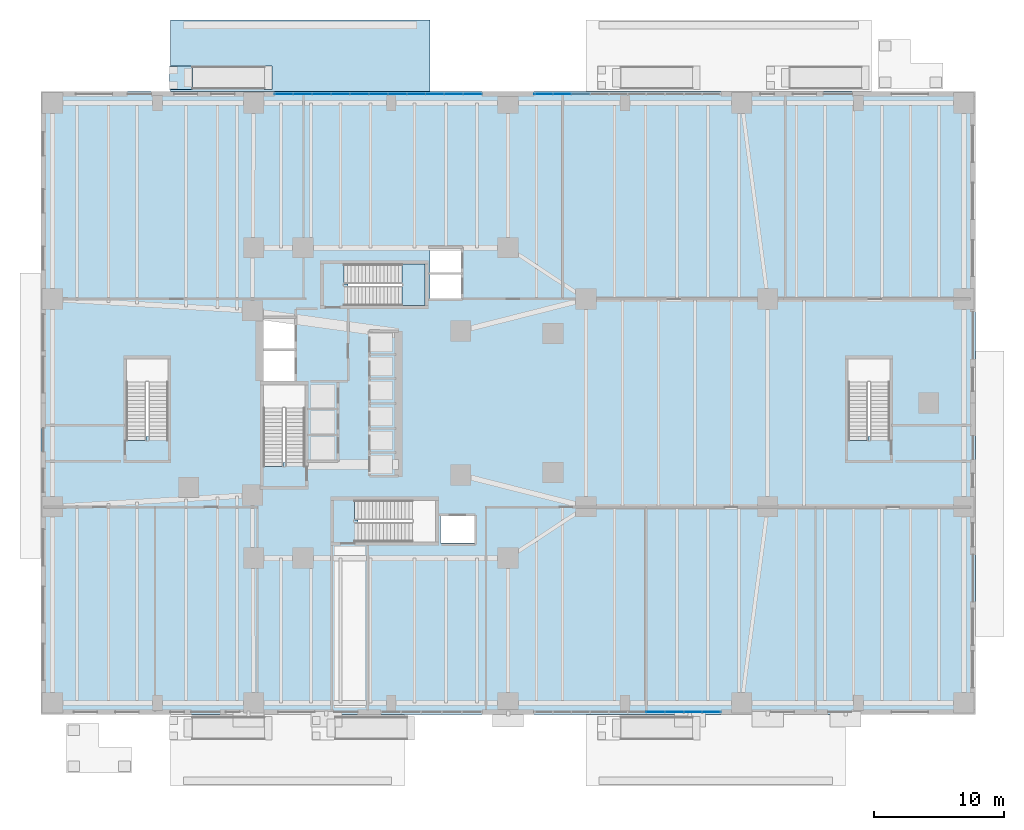
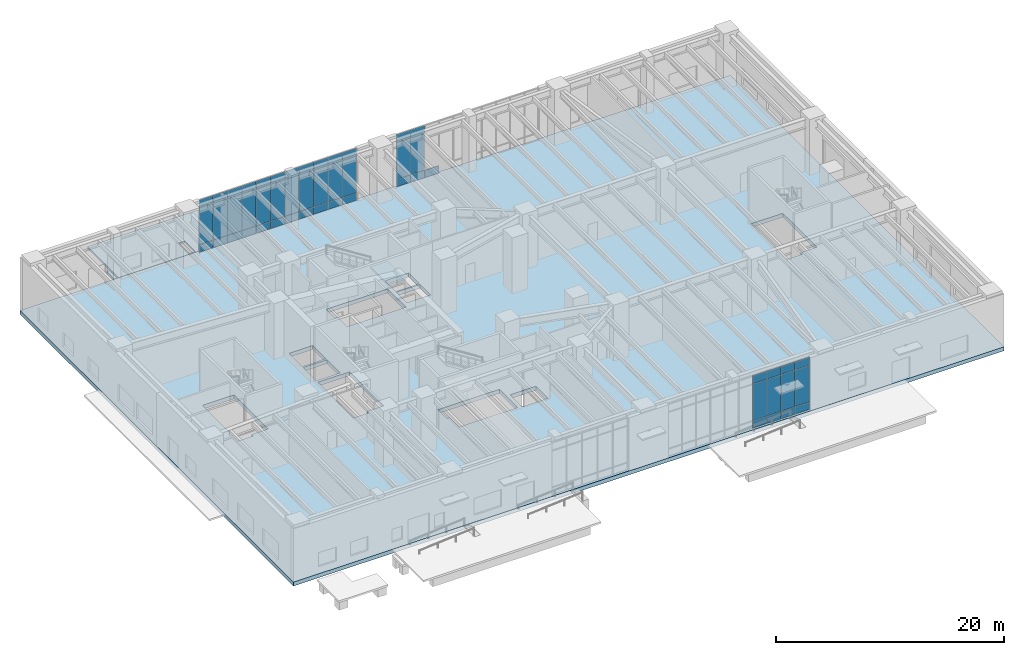
# One storey, part 17 of 28: 52 plates, 4 slabs, 5 elements without a shape of their own.
"""IFC4 building model written with IfcOpenShell, lengths in metres."""

from ifc_helpers import new_model, si_unit, direction, frame, origin, origin_2d, place, context, subcontext, project, spatial, polyline, rectangle, outline, extrude, material, layer, layer_set, type_object, element, aggregate, save


model = new_model("IFC4")

# Units and contexts
model_context = context("Model", 3, precision=1e-05, world=origin(), true_north=direction((0.0, 1.0)))
body_context = subcontext(model_context, "Body", "Model", "MODEL_VIEW")
ifc_project = project(units=[si_unit("LENGTHUNIT", "METRE"), si_unit("AREAUNIT", "SQUARE_METRE"), si_unit("VOLUMEUNIT", "CUBIC_METRE"), si_unit("PLANEANGLEUNIT", "RADIAN"), si_unit("MASSUNIT", "GRAM", prefix="KILO"), si_unit("THERMODYNAMICTEMPERATUREUNIT", "KELVIN"), si_unit("POWERUNIT", "WATT")], contexts=[model_context])

# Site, building, storey
site_placement = place(None, origin())
site = spatial("IfcSite", under=ifc_project, at=site_placement, CompositionType="ELEMENT")
building_placement = place(site_placement, origin())
building = spatial("IfcBuilding", under=site, at=building_placement, Name="Skarre Station Tower", CompositionType="ELEMENT")
storey_placement = place(building_placement, origin())
storey = spatial("IfcBuildingStorey", under=building, at=storey_placement, Name="L01", CompositionType="ELEMENT", Elevation=0.0)

# Curtain wall, plates
ifc_material_1 = material(Name="Thermally Broken Bronze-Anodized Aluminium & Triple Low-E Glass", Category="aluminium")
ifc_layer_1 = layer(ifc_material_1, 0.239990234375, Name="Thermally Broken Bronze-Anodized Aluminium & Triple Low-E Glass")
ifc_layer_set_1 = layer_set([ifc_layer_1], Name="Thermally Broken Bronze-Anodized Aluminium & Triple Low-E Glass")
curtain_wall_type = type_object("IfcCurtainWallType", Name="Station Concourse Monumental Unitised Curtain Wall", PredefinedType="NOTDEFINED", material=ifc_layer_set_1)
curtain_wall_1_placement = place(storey_placement, origin())
curtain_wall_1 = element("IfcCurtainWall", 1, at=curtain_wall_1_placement, inside=storey, type_object=curtain_wall_type, Name="L01 South Concourse Portal East Curtain Wall", PredefinedType="NOTDEFINED")
ifc_material_2 = material(Name="Insulated Bronze Anodized Aluminium Spandrel", Category="aluminium")
ifc_layer_2 = layer(ifc_material_2, 0.052001953125, Name="Insulated Bronze Anodized Aluminium Spandrel")
ifc_layer_set_2 = layer_set([ifc_layer_2], Name="Insulated Bronze Anodized Aluminium Spandrel")
plate_type_1 = type_object("IfcPlateType", Name="Bronze Insulated Spandrel Sheet Panel 52", PredefinedType="SHEET", material=ifc_layer_set_2)
plate_1_placement = place(storey_placement, frame((51.679931640625, 0.199951171875, 0.05224609375), z_axis=(0.0, 0.0, 1.0), x_axis=(-1.0, 0.0, 0.0)))
plate_1 = element("IfcPlate", 2, at=plate_1_placement, type_object=plate_type_1, Name="L01 South Concourse Portal East Curtain Wall Spandrel Panel 1-1", PredefinedType="SHEET", context=body_context, shape_type="SweptSolid", body=[
    extrude(rectangle(XDim=1.416015625, YDim=0.052001953125, at=origin_2d()), origin(), (0.0, 0.0, 1.0), 0.785888671875),
])
plate_2_placement = place(storey_placement, frame((50.239990234375, 0.199951171875, 0.05224609375), z_axis=(0.0, 0.0, 1.0), x_axis=(-1.0, 0.0, 0.0)))
plate_2 = element("IfcPlate", 3, at=plate_2_placement, type_object=plate_type_1, Name="L01 South Concourse Portal East Curtain Wall Spandrel Panel 2-1", PredefinedType="SHEET", context=body_context, shape_type="SweptSolid", body=[
    extrude(rectangle(XDim=1.416015625, YDim=0.052001953125, at=origin_2d()), origin(), (0.0, 0.0, 1.0), 0.785888671875),
])
plate_3_placement = place(storey_placement, frame((48.800048828125, 0.199951171875, 0.05224609375), z_axis=(0.0, 0.0, 1.0), x_axis=(-1.0, 0.0, 0.0)))
plate_3 = element("IfcPlate", 4, at=plate_3_placement, type_object=plate_type_1, Name="L01 South Concourse Portal East Curtain Wall Spandrel Panel 3-1", PredefinedType="SHEET", context=body_context, shape_type="SweptSolid", body=[
    extrude(rectangle(XDim=1.416015625, YDim=0.052001953125, at=origin_2d()), origin(), (0.0, 0.0, 1.0), 0.785888671875),
])
plate_4_placement = place(storey_placement, frame((47.360107421875, 0.199951171875, 0.05224609375), z_axis=(0.0, 0.0, 1.0), x_axis=(-1.0, 0.0, 0.0)))
plate_4 = element("IfcPlate", 5, at=plate_4_placement, type_object=plate_type_1, Name="L01 South Concourse Portal East Curtain Wall Spandrel Panel 4-1", PredefinedType="SHEET", context=body_context, shape_type="SweptSolid", body=[
    extrude(rectangle(XDim=1.416015625, YDim=0.052001953125, at=origin_2d()), origin(), (0.0, 0.0, 1.0), 0.785888671875),
])

curtain_wall_2_placement = place(storey_placement, origin())
curtain_wall_2 = element("IfcCurtainWall", 6, at=curtain_wall_2_placement, inside=storey, type_object=curtain_wall_type, Name="L01 North Arcade West Curtain Wall", PredefinedType="NOTDEFINED")
plate_5_placement = place(storey_placement, frame((18.72705078125, 47.800048828125, 0.05224609375), z_axis=(0.0, 0.0, 1.0), x_axis=(1.0, 0.0, 0.0)))
plate_5 = element("IfcPlate", 7, at=plate_5_placement, type_object=plate_type_1, Name="L01 North Arcade West Curtain Wall Spandrel Panel 1-1", PredefinedType="SHEET", context=body_context, shape_type="SweptSolid", body=[
    extrude(rectangle(XDim=1.430908203125, YDim=0.052001953125, at=origin_2d()), origin(), (0.0, 0.0, 1.0), 0.785888671875),
])
plate_6_placement = place(storey_placement, frame((20.181884765625, 47.800048828125, 0.05224609375), z_axis=(0.0, 0.0, 1.0), x_axis=(1.0, 0.0, 0.0)))
plate_6 = element("IfcPlate", 8, at=plate_6_placement, type_object=plate_type_1, Name="L01 North Arcade West Curtain Wall Spandrel Panel 2-1", PredefinedType="SHEET", context=body_context, shape_type="SweptSolid", body=[
    extrude(rectangle(XDim=1.430908203125, YDim=0.052001953125, at=origin_2d()), origin(), (0.0, 0.0, 1.0), 0.785888671875),
])
plate_7_placement = place(storey_placement, frame((21.635986328125, 47.800048828125, 0.05224609375), z_axis=(0.0, 0.0, 1.0), x_axis=(1.0, 0.0, 0.0)))
plate_7 = element("IfcPlate", 9, at=plate_7_placement, type_object=plate_type_1, Name="L01 North Arcade West Curtain Wall Spandrel Panel 3-1", PredefinedType="SHEET", context=body_context, shape_type="SweptSolid", body=[
    extrude(rectangle(XDim=1.430908203125, YDim=0.052001953125, at=origin_2d()), origin(), (0.0, 0.0, 1.0), 0.785888671875),
])
plate_8_placement = place(storey_placement, frame((23.091064453125, 47.800048828125, 0.05224609375), z_axis=(0.0, 0.0, 1.0), x_axis=(1.0, 0.0, 0.0)))
plate_8 = element("IfcPlate", 10, at=plate_8_placement, type_object=plate_type_1, Name="L01 North Arcade West Curtain Wall Spandrel Panel 4-1", PredefinedType="SHEET", context=body_context, shape_type="SweptSolid", body=[
    extrude(rectangle(XDim=1.430908203125, YDim=0.052001953125, at=origin_2d()), origin(), (0.0, 0.0, 1.0), 0.785888671875),
])
plate_9_placement = place(storey_placement, frame((24.544921875, 47.800048828125, 0.05224609375), z_axis=(0.0, 0.0, 1.0), x_axis=(1.0, 0.0, 0.0)))
plate_9 = element("IfcPlate", 11, at=plate_9_placement, type_object=plate_type_1, Name="L01 North Arcade West Curtain Wall Spandrel Panel 5-1", PredefinedType="SHEET", context=body_context, shape_type="SweptSolid", body=[
    extrude(rectangle(XDim=1.430908203125, YDim=0.052001953125, at=origin_2d()), origin(), (0.0, 0.0, 1.0), 0.785888671875),
])
plate_10_placement = place(storey_placement, frame((26.0, 47.800048828125, 0.05224609375), z_axis=(0.0, 0.0, 1.0), x_axis=(1.0, 0.0, 0.0)))
plate_10 = element("IfcPlate", 12, at=plate_10_placement, type_object=plate_type_1, Name="L01 North Arcade West Curtain Wall Spandrel Panel 6-1", PredefinedType="SHEET", context=body_context, shape_type="SweptSolid", body=[
    extrude(rectangle(XDim=1.430908203125, YDim=0.052001953125, at=origin_2d()), origin(), (0.0, 0.0, 1.0), 0.785888671875),
])
plate_11_placement = place(storey_placement, frame((27.455078125, 47.800048828125, 0.05224609375), z_axis=(0.0, 0.0, 1.0), x_axis=(1.0, 0.0, 0.0)))
plate_11 = element("IfcPlate", 13, at=plate_11_placement, type_object=plate_type_1, Name="L01 North Arcade West Curtain Wall Spandrel Panel 7-1", PredefinedType="SHEET", context=body_context, shape_type="SweptSolid", body=[
    extrude(rectangle(XDim=1.430908203125, YDim=0.052001953125, at=origin_2d()), origin(), (0.0, 0.0, 1.0), 0.785888671875),
])
plate_12_placement = place(storey_placement, frame((28.908935546875, 47.800048828125, 0.05224609375), z_axis=(0.0, 0.0, 1.0), x_axis=(1.0, 0.0, 0.0)))
plate_12 = element("IfcPlate", 14, at=plate_12_placement, type_object=plate_type_1, Name="L01 North Arcade West Curtain Wall Spandrel Panel 8-1", PredefinedType="SHEET", context=body_context, shape_type="SweptSolid", body=[
    extrude(rectangle(XDim=1.430908203125, YDim=0.052001953125, at=origin_2d()), origin(), (0.0, 0.0, 1.0), 0.785888671875),
])
plate_13_placement = place(storey_placement, frame((30.364013671875, 47.800048828125, 0.05224609375), z_axis=(0.0, 0.0, 1.0), x_axis=(1.0, 0.0, 0.0)))
plate_13 = element("IfcPlate", 15, at=plate_13_placement, type_object=plate_type_1, Name="L01 North Arcade West Curtain Wall Spandrel Panel 9-1", PredefinedType="SHEET", context=body_context, shape_type="SweptSolid", body=[
    extrude(rectangle(XDim=1.430908203125, YDim=0.052001953125, at=origin_2d()), origin(), (0.0, 0.0, 1.0), 0.785888671875),
])
plate_14_placement = place(storey_placement, frame((31.818115234375, 47.800048828125, 0.05224609375), z_axis=(0.0, 0.0, 1.0), x_axis=(1.0, 0.0, 0.0)))
plate_14 = element("IfcPlate", 16, at=plate_14_placement, type_object=plate_type_1, Name="L01 North Arcade West Curtain Wall Spandrel Panel 10-1", PredefinedType="SHEET", context=body_context, shape_type="SweptSolid", body=[
    extrude(rectangle(XDim=1.430908203125, YDim=0.052001953125, at=origin_2d()), origin(), (0.0, 0.0, 1.0), 0.785888671875),
])
plate_15_placement = place(storey_placement, frame((33.27294921875, 47.800048828125, 0.05224609375), z_axis=(0.0, 0.0, 1.0), x_axis=(1.0, 0.0, 0.0)))
plate_15 = element("IfcPlate", 17, at=plate_15_placement, type_object=plate_type_1, Name="L01 North Arcade West Curtain Wall Spandrel Panel 11-1", PredefinedType="SHEET", context=body_context, shape_type="SweptSolid", body=[
    extrude(rectangle(XDim=1.430908203125, YDim=0.052001953125, at=origin_2d()), origin(), (0.0, 0.0, 1.0), 0.785888671875),
])

curtain_wall_3_placement = place(storey_placement, origin())
curtain_wall_3 = element("IfcCurtainWall", 18, at=curtain_wall_3_placement, inside=storey, type_object=curtain_wall_type, Name="L01 North Drop-Off Portal Curtain Wall", PredefinedType="NOTDEFINED")
plate_16_placement = place(storey_placement, frame((38.719970703125, 47.800048828125, 0.05224609375), z_axis=(0.0, 0.0, 1.0), x_axis=(1.0, 0.0, 0.0)))
plate_16 = element("IfcPlate", 19, at=plate_16_placement, type_object=plate_type_1, Name="L01 North Drop-Off Portal Curtain Wall Spandrel Panel 1-1", PredefinedType="SHEET", context=body_context, shape_type="SweptSolid", body=[
    extrude(rectangle(XDim=1.416015625, YDim=0.052001953125, at=origin_2d()), origin(), (0.0, 0.0, 1.0), 0.785888671875),
])
plate_17_placement = place(storey_placement, frame((40.159912109375, 47.800048828125, 0.05224609375), z_axis=(0.0, 0.0, 1.0), x_axis=(1.0, 0.0, 0.0)))
plate_17 = element("IfcPlate", 20, at=plate_17_placement, type_object=plate_type_1, Name="L01 North Drop-Off Portal Curtain Wall Spandrel Panel 2-1", PredefinedType="SHEET", context=body_context, shape_type="SweptSolid", body=[
    extrude(rectangle(XDim=1.416015625, YDim=0.052001953125, at=origin_2d()), origin(), (0.0, 0.0, 1.0), 0.785888671875),
])
plate_18_placement = place(storey_placement, frame((41.60009765625, 47.800048828125, 0.05224609375), z_axis=(0.0, 0.0, 1.0), x_axis=(1.0, 0.0, 0.0)))
plate_18 = element("IfcPlate", 21, at=plate_18_placement, type_object=plate_type_1, Name="L01 North Drop-Off Portal Curtain Wall Spandrel Panel 3-1", PredefinedType="SHEET", context=body_context, shape_type="SweptSolid", body=[
    extrude(rectangle(XDim=1.416015625, YDim=0.052001953125, at=origin_2d()), origin(), (0.0, 0.0, 1.0), 0.785888671875),
])

# Ramp, slab
ifc_material_3 = material(Name="Concrete C40/50", Category="concrete")
ramp_type = type_object("IfcRampType", Name="Accessible Concourse Pedestrian Ramp", PredefinedType="STRAIGHT_RUN_RAMP", material=ifc_material_3)
ramp_placement = place(storey_placement, origin())
ramp = element("IfcRamp", 22, at=ramp_placement, inside=storey, type_object=ramp_type, Name="North Forecourt Accessible Ramp", PredefinedType="STRAIGHT_RUN_RAMP")
ifc_layer_3 = layer(ifc_material_3, 0.219970703125, Name="Concrete C40/50")
ifc_layer_set_3 = layer_set([ifc_layer_3], Name="Concrete C40/50")
slab_type_1 = type_object("IfcSlabType", Name="Exterior Ramp Approach Landing 220", PredefinedType="LANDING", material=ifc_layer_set_3)
slab_1_placement = place(storey_placement, frame((0.0, 0.0, -0.679931640625)))
slab_1 = element("IfcSlab", 23, at=slab_1_placement, type_object=slab_type_1, Name="North Forecourt Accessible Ramp Bottom Landing", PredefinedType="LANDING", context=body_context, shape_type="SweptSolid", body=[
    extrude(outline(polyline([(9.89990234375, 48.14990234375), (11.699951171875, 48.14990234375), (11.699951171875, 49.949951171875), (9.89990234375, 49.949951171875), (9.89990234375, 48.14990234375)])), origin(), (0.0, 0.0, 1.0), 0.219970703125),
])
aggregate(ramp, [slab_1])

# Slab
ifc_material_4 = material(Name="Precast concrete C40/50", Category="concrete")
ifc_layer_4 = layer(ifc_material_4, 0.18994140625, Name="Precast concrete C40/50")
ifc_layer_set_4 = layer_set([ifc_layer_4], Name="Precast concrete C40/50")
slab_type_2 = type_object("IfcSlabType", Name="Granite Street Entrance & Apron Paving 190", PredefinedType="USERDEFINED", material=ifc_layer_set_4)
slab_2_placement = place(storey_placement, frame((0.0, 0.0, -0.18994140625)))
element("IfcSlab", 24, at=slab_2_placement, inside=storey, type_object=slab_type_2, Name="North Exit Discharge & Retail Forecourt Paving", ObjectType="PAVING", PredefinedType="USERDEFINED", context=body_context, shape_type="SweptSolid", body=[
    extrude(outline(polyline([(10.0, 48.010009765625), (30.0, 48.010009765625), (30.0, 53.5), (10.0, 53.5), (10.0, 48.010009765625)]), holes=[polyline([(17.2099609375, 49.9599609375), (17.820068359375, 49.9599609375), (17.820068359375, 48.139892578125), (17.2099609375, 48.139892578125), (17.2099609375, 49.9599609375)])]), origin(), (0.0, 0.0, 1.0), 0.18994140625),
])

# Stair, slab
stair_type = type_object("IfcStairType", Name="Reinforced Concrete Exit Stair ST-3", PredefinedType="HALF_TURN_STAIR", material=ifc_material_3)
stair_placement = place(storey_placement, origin())
stair = element("IfcStair", 25, at=stair_placement, inside=storey, type_object=stair_type, Name="L01 Core Exit Stair ST-3", PredefinedType="HALF_TURN_STAIR")
ifc_layer_5 = layer(ifc_material_3, 0.219970703125, Name="Concrete C40/50")
ifc_layer_set_5 = layer_set([ifc_layer_5], Name="Concrete C40/50")
slab_type_3 = type_object("IfcSlabType", Name="Reinforced Concrete Stair & Ramp Landing 220", PredefinedType="LANDING", material=ifc_layer_set_5)
slab_3_placement = place(storey_placement, frame((0.0, 0.0, 2.800048828125)))
slab_3 = element("IfcSlab", 26, at=slab_3_placement, type_object=slab_type_3, Name="ST-3 landing 1", PredefinedType="LANDING", context=body_context, shape_type="SweptSolid", body=[
    extrude(outline(polyline([(27.830078125, 31.5), (29.60009765625, 31.5), (29.60009765625, 34.699951171875), (27.830078125, 34.699951171875), (27.830078125, 31.5)])), origin(), (0.0, 0.0, 1.0), 0.199951171875),
])
aggregate(stair, [slab_3])

# Slab
ifc_material_5 = material(Name="Concrete C50/60", Category="concrete")
ifc_layer_6 = layer(ifc_material_5, 0.419921875, Name="Concrete C50/60")
ifc_layer_set_6 = layer_set([ifc_layer_6], Name="Concrete C50/60")
slab_type_4 = type_object("IfcSlabType", Name="Transfer & Concourse Floor Slab 360", PredefinedType="FLOOR", material=ifc_layer_set_6)
slab_4_placement = place(storey_placement, frame((0.0, 0.0, -0.419921875)))
element("IfcSlab", 27, at=slab_4_placement, inside=storey, type_object=slab_type_4, Name="L01 Station Podium Structural Floor Slab", PredefinedType="FLOOR", context=body_context, shape_type="SweptSolid", body=[
    extrude(outline(polyline([(0.0, 0.0), (72.0, 0.0), (72.0, 48.0), (0.0, 48.0), (0.0, 0.0)]), holes=[polyline([(18.669921875, 19.419921875), (18.669921875, 19.123046875), (17.14990234375, 19.123046875), (17.14990234375, 25.39990234375), (20.35009765625, 25.39990234375), (20.35009765625, 19.419921875), (18.669921875, 19.419921875)]), polyline([(24.449951171875, 14.97998046875), (24.153076171875, 14.97998046875), (24.153076171875, 16.5), (30.39990234375, 16.5), (30.39990234375, 13.300048828125), (24.449951171875, 13.300048828125), (24.449951171875, 14.97998046875)]), polyline([(23.64990234375, 33.179931640625), (23.35302734375, 33.179931640625), (23.35302734375, 34.699951171875), (29.60009765625, 34.699951171875), (29.60009765625, 31.5), (23.64990234375, 31.5), (23.64990234375, 33.179931640625)]), polyline([(8.1201171875, 21.419921875), (8.1201171875, 21.123046875), (6.60009765625, 21.123046875), (6.60009765625, 27.39990234375), (9.800048828125, 27.39990234375), (9.800048828125, 21.419921875), (8.1201171875, 21.419921875)]), polyline([(63.719970703125, 21.419921875), (63.719970703125, 21.123046875), (62.199951171875, 21.123046875), (62.199951171875, 27.39990234375), (65.39990234375, 27.39990234375), (65.39990234375, 21.419921875), (63.719970703125, 21.419921875)]), polyline([(17.14990234375, 28.0), (19.550048828125, 28.0), (19.550048828125, 25.699951171875), (17.14990234375, 25.699951171875), (17.14990234375, 28.0)]), polyline([(17.14990234375, 30.5), (19.550048828125, 30.5), (19.550048828125, 28.199951171875), (17.14990234375, 28.199951171875), (17.14990234375, 30.5)]), polyline([(30.800048828125, 15.300048828125), (33.39990234375, 15.300048828125), (33.39990234375, 13.199951171875), (30.800048828125, 13.199951171875), (30.800048828125, 15.300048828125)]), polyline([(30.0, 33.89990234375), (32.39990234375, 33.89990234375), (32.39990234375, 32.050048828125), (30.0, 32.050048828125), (30.0, 33.89990234375)]), polyline([(30.0, 35.89990234375), (32.39990234375, 35.89990234375), (32.39990234375, 34.050048828125), (30.0, 34.050048828125), (30.0, 35.89990234375)])]), origin(), (0.0, 0.0, 1.0), 0.419921875),
])

# Plate
ifc_material_6 = material(Name="Low-Iron Triple Insulating Glass Unit", Category="glass")
ifc_layer_7 = layer(ifc_material_6, 0.0439453125, Name="Low-Iron Triple Insulating Glass Unit")
ifc_layer_set_7 = layer_set([ifc_layer_7], Name="Low-Iron Triple Insulating Glass Unit")
plate_type_2 = type_object("IfcPlateType", Name="Triple-Glazed Vision Curtain Panel 44", PredefinedType="CURTAIN_PANEL", material=ifc_layer_set_7)
plate_19_placement = place(storey_placement, frame((51.679931640625, 0.199951171875, 0.862060546875), z_axis=(0.0, 0.0, 1.0), x_axis=(-1.0, 0.0, 0.0)))
plate_19 = element("IfcPlate", 28, at=plate_19_placement, type_object=plate_type_2, Name="L01 South Concourse Portal East Curtain Wall Vision Panel 1-2", PredefinedType="CURTAIN_PANEL", context=body_context, shape_type="SweptSolid", body=[
    extrude(rectangle(XDim=1.416015625, YDim=0.0439453125, at=origin_2d()), origin(), (0.0, 0.0, 1.0), 3.916015625),
])

plate_20_placement = place(storey_placement, frame((51.679931640625, 0.199951171875, 4.802001953125), z_axis=(0.0, 0.0, 1.0), x_axis=(-1.0, 0.0, 0.0)))
plate_20 = element("IfcPlate", 29, at=plate_20_placement, type_object=plate_type_2, Name="L01 South Concourse Portal East Curtain Wall Vision Panel 1-3", PredefinedType="CURTAIN_PANEL", context=body_context, shape_type="SweptSolid", body=[
    extrude(rectangle(XDim=1.416015625, YDim=0.0439453125, at=origin_2d()), origin(), (0.0, 0.0, 1.0), 0.8359375),
])

plate_21_placement = place(storey_placement, frame((50.239990234375, 0.199951171875, 0.862060546875), z_axis=(0.0, 0.0, 1.0), x_axis=(-1.0, 0.0, 0.0)))
plate_21 = element("IfcPlate", 30, at=plate_21_placement, type_object=plate_type_2, Name="L01 South Concourse Portal East Curtain Wall Vision Panel 2-2", PredefinedType="CURTAIN_PANEL", context=body_context, shape_type="SweptSolid", body=[
    extrude(rectangle(XDim=1.416015625, YDim=0.0439453125, at=origin_2d()), origin(), (0.0, 0.0, 1.0), 3.916015625),
])

plate_22_placement = place(storey_placement, frame((50.239990234375, 0.199951171875, 4.802001953125), z_axis=(0.0, 0.0, 1.0), x_axis=(-1.0, 0.0, 0.0)))
plate_22 = element("IfcPlate", 31, at=plate_22_placement, type_object=plate_type_2, Name="L01 South Concourse Portal East Curtain Wall Vision Panel 2-3", PredefinedType="CURTAIN_PANEL", context=body_context, shape_type="SweptSolid", body=[
    extrude(rectangle(XDim=1.416015625, YDim=0.0439453125, at=origin_2d()), origin(), (0.0, 0.0, 1.0), 0.8359375),
])

plate_23_placement = place(storey_placement, frame((48.800048828125, 0.199951171875, 0.862060546875), z_axis=(0.0, 0.0, 1.0), x_axis=(-1.0, 0.0, 0.0)))
plate_23 = element("IfcPlate", 32, at=plate_23_placement, type_object=plate_type_2, Name="L01 South Concourse Portal East Curtain Wall Vision Panel 3-2", PredefinedType="CURTAIN_PANEL", context=body_context, shape_type="SweptSolid", body=[
    extrude(rectangle(XDim=1.416015625, YDim=0.0439453125, at=origin_2d()), origin(), (0.0, 0.0, 1.0), 3.916015625),
])

plate_24_placement = place(storey_placement, frame((48.800048828125, 0.199951171875, 4.802001953125), z_axis=(0.0, 0.0, 1.0), x_axis=(-1.0, 0.0, 0.0)))
plate_24 = element("IfcPlate", 33, at=plate_24_placement, type_object=plate_type_2, Name="L01 South Concourse Portal East Curtain Wall Vision Panel 3-3", PredefinedType="CURTAIN_PANEL", context=body_context, shape_type="SweptSolid", body=[
    extrude(rectangle(XDim=1.416015625, YDim=0.0439453125, at=origin_2d()), origin(), (0.0, 0.0, 1.0), 0.8359375),
])

plate_25_placement = place(storey_placement, frame((47.360107421875, 0.199951171875, 0.862060546875), z_axis=(0.0, 0.0, 1.0), x_axis=(-1.0, 0.0, 0.0)))
plate_25 = element("IfcPlate", 34, at=plate_25_placement, type_object=plate_type_2, Name="L01 South Concourse Portal East Curtain Wall Vision Panel 4-2", PredefinedType="CURTAIN_PANEL", context=body_context, shape_type="SweptSolid", body=[
    extrude(rectangle(XDim=1.416015625, YDim=0.0439453125, at=origin_2d()), origin(), (0.0, 0.0, 1.0), 3.916015625),
])

plate_26_placement = place(storey_placement, frame((47.360107421875, 0.199951171875, 4.802001953125), z_axis=(0.0, 0.0, 1.0), x_axis=(-1.0, 0.0, 0.0)))
plate_26 = element("IfcPlate", 35, at=plate_26_placement, type_object=plate_type_2, Name="L01 South Concourse Portal East Curtain Wall Vision Panel 4-3", PredefinedType="CURTAIN_PANEL", context=body_context, shape_type="SweptSolid", body=[
    extrude(rectangle(XDim=1.416015625, YDim=0.0439453125, at=origin_2d()), origin(), (0.0, 0.0, 1.0), 0.8359375),
])

aggregate(curtain_wall_1, [plate_1, plate_19, plate_20, plate_2, plate_21, plate_22, plate_3, plate_23, plate_24, plate_4, plate_25, plate_26])

plate_27_placement = place(storey_placement, frame((18.72705078125, 47.800048828125, 0.862060546875), z_axis=(0.0, 0.0, 1.0), x_axis=(1.0, 0.0, 0.0)))
plate_27 = element("IfcPlate", 36, at=plate_27_placement, type_object=plate_type_2, Name="L01 North Arcade West Curtain Wall Vision Panel 1-2", PredefinedType="CURTAIN_PANEL", context=body_context, shape_type="SweptSolid", body=[
    extrude(rectangle(XDim=1.430908203125, YDim=0.0439453125, at=origin_2d()), origin(), (0.0, 0.0, 1.0), 3.916015625),
])

plate_28_placement = place(storey_placement, frame((18.72705078125, 47.800048828125, 4.802001953125), z_axis=(0.0, 0.0, 1.0), x_axis=(1.0, 0.0, 0.0)))
plate_28 = element("IfcPlate", 37, at=plate_28_placement, type_object=plate_type_2, Name="L01 North Arcade West Curtain Wall Vision Panel 1-3", PredefinedType="CURTAIN_PANEL", context=body_context, shape_type="SweptSolid", body=[
    extrude(rectangle(XDim=1.430908203125, YDim=0.0439453125, at=origin_2d()), origin(), (0.0, 0.0, 1.0), 0.8359375),
])

plate_29_placement = place(storey_placement, frame((20.181884765625, 47.800048828125, 0.862060546875), z_axis=(0.0, 0.0, 1.0), x_axis=(1.0, 0.0, 0.0)))
plate_29 = element("IfcPlate", 38, at=plate_29_placement, type_object=plate_type_2, Name="L01 North Arcade West Curtain Wall Vision Panel 2-2", PredefinedType="CURTAIN_PANEL", context=body_context, shape_type="SweptSolid", body=[
    extrude(rectangle(XDim=1.430908203125, YDim=0.0439453125, at=origin_2d()), origin(), (0.0, 0.0, 1.0), 3.916015625),
])

plate_30_placement = place(storey_placement, frame((20.181884765625, 47.800048828125, 4.802001953125), z_axis=(0.0, 0.0, 1.0), x_axis=(1.0, 0.0, 0.0)))
plate_30 = element("IfcPlate", 39, at=plate_30_placement, type_object=plate_type_2, Name="L01 North Arcade West Curtain Wall Vision Panel 2-3", PredefinedType="CURTAIN_PANEL", context=body_context, shape_type="SweptSolid", body=[
    extrude(rectangle(XDim=1.430908203125, YDim=0.0439453125, at=origin_2d()), origin(), (0.0, 0.0, 1.0), 0.8359375),
])

plate_31_placement = place(storey_placement, frame((21.635986328125, 47.800048828125, 0.862060546875), z_axis=(0.0, 0.0, 1.0), x_axis=(1.0, 0.0, 0.0)))
plate_31 = element("IfcPlate", 40, at=plate_31_placement, type_object=plate_type_2, Name="L01 North Arcade West Curtain Wall Vision Panel 3-2", PredefinedType="CURTAIN_PANEL", context=body_context, shape_type="SweptSolid", body=[
    extrude(rectangle(XDim=1.430908203125, YDim=0.0439453125, at=origin_2d()), origin(), (0.0, 0.0, 1.0), 3.916015625),
])

plate_32_placement = place(storey_placement, frame((21.635986328125, 47.800048828125, 4.802001953125), z_axis=(0.0, 0.0, 1.0), x_axis=(1.0, 0.0, 0.0)))
plate_32 = element("IfcPlate", 41, at=plate_32_placement, type_object=plate_type_2, Name="L01 North Arcade West Curtain Wall Vision Panel 3-3", PredefinedType="CURTAIN_PANEL", context=body_context, shape_type="SweptSolid", body=[
    extrude(rectangle(XDim=1.430908203125, YDim=0.0439453125, at=origin_2d()), origin(), (0.0, 0.0, 1.0), 0.8359375),
])

plate_33_placement = place(storey_placement, frame((23.091064453125, 47.800048828125, 0.862060546875), z_axis=(0.0, 0.0, 1.0), x_axis=(1.0, 0.0, 0.0)))
plate_33 = element("IfcPlate", 42, at=plate_33_placement, type_object=plate_type_2, Name="L01 North Arcade West Curtain Wall Vision Panel 4-2", PredefinedType="CURTAIN_PANEL", context=body_context, shape_type="SweptSolid", body=[
    extrude(rectangle(XDim=1.430908203125, YDim=0.0439453125, at=origin_2d()), origin(), (0.0, 0.0, 1.0), 3.916015625),
])

plate_34_placement = place(storey_placement, frame((23.091064453125, 47.800048828125, 4.802001953125), z_axis=(0.0, 0.0, 1.0), x_axis=(1.0, 0.0, 0.0)))
plate_34 = element("IfcPlate", 43, at=plate_34_placement, type_object=plate_type_2, Name="L01 North Arcade West Curtain Wall Vision Panel 4-3", PredefinedType="CURTAIN_PANEL", context=body_context, shape_type="SweptSolid", body=[
    extrude(rectangle(XDim=1.430908203125, YDim=0.0439453125, at=origin_2d()), origin(), (0.0, 0.0, 1.0), 0.8359375),
])

plate_35_placement = place(storey_placement, frame((24.544921875, 47.800048828125, 0.862060546875), z_axis=(0.0, 0.0, 1.0), x_axis=(1.0, 0.0, 0.0)))
plate_35 = element("IfcPlate", 44, at=plate_35_placement, type_object=plate_type_2, Name="L01 North Arcade West Curtain Wall Vision Panel 5-2", PredefinedType="CURTAIN_PANEL", context=body_context, shape_type="SweptSolid", body=[
    extrude(rectangle(XDim=1.430908203125, YDim=0.0439453125, at=origin_2d()), origin(), (0.0, 0.0, 1.0), 3.916015625),
])

plate_36_placement = place(storey_placement, frame((24.544921875, 47.800048828125, 4.802001953125), z_axis=(0.0, 0.0, 1.0), x_axis=(1.0, 0.0, 0.0)))
plate_36 = element("IfcPlate", 45, at=plate_36_placement, type_object=plate_type_2, Name="L01 North Arcade West Curtain Wall Vision Panel 5-3", PredefinedType="CURTAIN_PANEL", context=body_context, shape_type="SweptSolid", body=[
    extrude(rectangle(XDim=1.430908203125, YDim=0.0439453125, at=origin_2d()), origin(), (0.0, 0.0, 1.0), 0.8359375),
])

plate_37_placement = place(storey_placement, frame((26.0, 47.800048828125, 0.862060546875), z_axis=(0.0, 0.0, 1.0), x_axis=(1.0, 0.0, 0.0)))
plate_37 = element("IfcPlate", 46, at=plate_37_placement, type_object=plate_type_2, Name="L01 North Arcade West Curtain Wall Vision Panel 6-2", PredefinedType="CURTAIN_PANEL", context=body_context, shape_type="SweptSolid", body=[
    extrude(rectangle(XDim=1.430908203125, YDim=0.0439453125, at=origin_2d()), origin(), (0.0, 0.0, 1.0), 3.916015625),
])

plate_38_placement = place(storey_placement, frame((26.0, 47.800048828125, 4.802001953125), z_axis=(0.0, 0.0, 1.0), x_axis=(1.0, 0.0, 0.0)))
plate_38 = element("IfcPlate", 47, at=plate_38_placement, type_object=plate_type_2, Name="L01 North Arcade West Curtain Wall Vision Panel 6-3", PredefinedType="CURTAIN_PANEL", context=body_context, shape_type="SweptSolid", body=[
    extrude(rectangle(XDim=1.430908203125, YDim=0.0439453125, at=origin_2d()), origin(), (0.0, 0.0, 1.0), 0.8359375),
])

plate_39_placement = place(storey_placement, frame((27.455078125, 47.800048828125, 0.862060546875), z_axis=(0.0, 0.0, 1.0), x_axis=(1.0, 0.0, 0.0)))
plate_39 = element("IfcPlate", 48, at=plate_39_placement, type_object=plate_type_2, Name="L01 North Arcade West Curtain Wall Vision Panel 7-2", PredefinedType="CURTAIN_PANEL", context=body_context, shape_type="SweptSolid", body=[
    extrude(rectangle(XDim=1.430908203125, YDim=0.0439453125, at=origin_2d()), origin(), (0.0, 0.0, 1.0), 3.916015625),
])

plate_40_placement = place(storey_placement, frame((27.455078125, 47.800048828125, 4.802001953125), z_axis=(0.0, 0.0, 1.0), x_axis=(1.0, 0.0, 0.0)))
plate_40 = element("IfcPlate", 49, at=plate_40_placement, type_object=plate_type_2, Name="L01 North Arcade West Curtain Wall Vision Panel 7-3", PredefinedType="CURTAIN_PANEL", context=body_context, shape_type="SweptSolid", body=[
    extrude(rectangle(XDim=1.430908203125, YDim=0.0439453125, at=origin_2d()), origin(), (0.0, 0.0, 1.0), 0.8359375),
])

plate_41_placement = place(storey_placement, frame((28.908935546875, 47.800048828125, 0.862060546875), z_axis=(0.0, 0.0, 1.0), x_axis=(1.0, 0.0, 0.0)))
plate_41 = element("IfcPlate", 50, at=plate_41_placement, type_object=plate_type_2, Name="L01 North Arcade West Curtain Wall Vision Panel 8-2", PredefinedType="CURTAIN_PANEL", context=body_context, shape_type="SweptSolid", body=[
    extrude(rectangle(XDim=1.430908203125, YDim=0.0439453125, at=origin_2d()), origin(), (0.0, 0.0, 1.0), 3.916015625),
])

plate_42_placement = place(storey_placement, frame((28.908935546875, 47.800048828125, 4.802001953125), z_axis=(0.0, 0.0, 1.0), x_axis=(1.0, 0.0, 0.0)))
plate_42 = element("IfcPlate", 51, at=plate_42_placement, type_object=plate_type_2, Name="L01 North Arcade West Curtain Wall Vision Panel 8-3", PredefinedType="CURTAIN_PANEL", context=body_context, shape_type="SweptSolid", body=[
    extrude(rectangle(XDim=1.430908203125, YDim=0.0439453125, at=origin_2d()), origin(), (0.0, 0.0, 1.0), 0.8359375),
])

plate_43_placement = place(storey_placement, frame((30.364013671875, 47.800048828125, 0.862060546875), z_axis=(0.0, 0.0, 1.0), x_axis=(1.0, 0.0, 0.0)))
plate_43 = element("IfcPlate", 52, at=plate_43_placement, type_object=plate_type_2, Name="L01 North Arcade West Curtain Wall Vision Panel 9-2", PredefinedType="CURTAIN_PANEL", context=body_context, shape_type="SweptSolid", body=[
    extrude(rectangle(XDim=1.430908203125, YDim=0.0439453125, at=origin_2d()), origin(), (0.0, 0.0, 1.0), 3.916015625),
])

plate_44_placement = place(storey_placement, frame((30.364013671875, 47.800048828125, 4.802001953125), z_axis=(0.0, 0.0, 1.0), x_axis=(1.0, 0.0, 0.0)))
plate_44 = element("IfcPlate", 53, at=plate_44_placement, type_object=plate_type_2, Name="L01 North Arcade West Curtain Wall Vision Panel 9-3", PredefinedType="CURTAIN_PANEL", context=body_context, shape_type="SweptSolid", body=[
    extrude(rectangle(XDim=1.430908203125, YDim=0.0439453125, at=origin_2d()), origin(), (0.0, 0.0, 1.0), 0.8359375),
])

plate_45_placement = place(storey_placement, frame((31.818115234375, 47.800048828125, 0.862060546875), z_axis=(0.0, 0.0, 1.0), x_axis=(1.0, 0.0, 0.0)))
plate_45 = element("IfcPlate", 54, at=plate_45_placement, type_object=plate_type_2, Name="L01 North Arcade West Curtain Wall Vision Panel 10-2", PredefinedType="CURTAIN_PANEL", context=body_context, shape_type="SweptSolid", body=[
    extrude(rectangle(XDim=1.430908203125, YDim=0.0439453125, at=origin_2d()), origin(), (0.0, 0.0, 1.0), 3.916015625),
])

plate_46_placement = place(storey_placement, frame((31.818115234375, 47.800048828125, 4.802001953125), z_axis=(0.0, 0.0, 1.0), x_axis=(1.0, 0.0, 0.0)))
plate_46 = element("IfcPlate", 55, at=plate_46_placement, type_object=plate_type_2, Name="L01 North Arcade West Curtain Wall Vision Panel 10-3", PredefinedType="CURTAIN_PANEL", context=body_context, shape_type="SweptSolid", body=[
    extrude(rectangle(XDim=1.430908203125, YDim=0.0439453125, at=origin_2d()), origin(), (0.0, 0.0, 1.0), 0.8359375),
])

plate_47_placement = place(storey_placement, frame((33.27294921875, 47.800048828125, 0.862060546875), z_axis=(0.0, 0.0, 1.0), x_axis=(1.0, 0.0, 0.0)))
plate_47 = element("IfcPlate", 56, at=plate_47_placement, type_object=plate_type_2, Name="L01 North Arcade West Curtain Wall Vision Panel 11-2", PredefinedType="CURTAIN_PANEL", context=body_context, shape_type="SweptSolid", body=[
    extrude(rectangle(XDim=1.430908203125, YDim=0.0439453125, at=origin_2d()), origin(), (0.0, 0.0, 1.0), 3.916015625),
])

plate_48_placement = place(storey_placement, frame((33.27294921875, 47.800048828125, 4.802001953125), z_axis=(0.0, 0.0, 1.0), x_axis=(1.0, 0.0, 0.0)))
plate_48 = element("IfcPlate", 57, at=plate_48_placement, type_object=plate_type_2, Name="L01 North Arcade West Curtain Wall Vision Panel 11-3", PredefinedType="CURTAIN_PANEL", context=body_context, shape_type="SweptSolid", body=[
    extrude(rectangle(XDim=1.430908203125, YDim=0.0439453125, at=origin_2d()), origin(), (0.0, 0.0, 1.0), 0.8359375),
])

aggregate(curtain_wall_2, [plate_5, plate_27, plate_28, plate_6, plate_29, plate_30, plate_7, plate_31, plate_32, plate_8, plate_33, plate_34, plate_9, plate_35, plate_36, plate_10, plate_37, plate_38, plate_11, plate_39, plate_40, plate_12, plate_41, plate_42, plate_13, plate_43, plate_44, plate_14, plate_45, plate_46, plate_15, plate_47, plate_48])

plate_49_placement = place(storey_placement, frame((38.719970703125, 47.800048828125, 0.862060546875), z_axis=(0.0, 0.0, 1.0), x_axis=(1.0, 0.0, 0.0)))
plate_49 = element("IfcPlate", 58, at=plate_49_placement, type_object=plate_type_2, Name="L01 North Drop-Off Portal Curtain Wall Vision Panel 1-2", PredefinedType="CURTAIN_PANEL", context=body_context, shape_type="SweptSolid", body=[
    extrude(rectangle(XDim=1.416015625, YDim=0.0439453125, at=origin_2d()), origin(), (0.0, 0.0, 1.0), 3.916015625),
])

plate_50_placement = place(storey_placement, frame((38.719970703125, 47.800048828125, 4.802001953125), z_axis=(0.0, 0.0, 1.0), x_axis=(1.0, 0.0, 0.0)))
plate_50 = element("IfcPlate", 59, at=plate_50_placement, type_object=plate_type_2, Name="L01 North Drop-Off Portal Curtain Wall Vision Panel 1-3", PredefinedType="CURTAIN_PANEL", context=body_context, shape_type="SweptSolid", body=[
    extrude(rectangle(XDim=1.416015625, YDim=0.0439453125, at=origin_2d()), origin(), (0.0, 0.0, 1.0), 0.8359375),
])

plate_51_placement = place(storey_placement, frame((40.159912109375, 47.800048828125, 0.862060546875), z_axis=(0.0, 0.0, 1.0), x_axis=(1.0, 0.0, 0.0)))
plate_51 = element("IfcPlate", 60, at=plate_51_placement, type_object=plate_type_2, Name="L01 North Drop-Off Portal Curtain Wall Vision Panel 2-2", PredefinedType="CURTAIN_PANEL", context=body_context, shape_type="SweptSolid", body=[
    extrude(rectangle(XDim=1.416015625, YDim=0.0439453125, at=origin_2d()), origin(), (0.0, 0.0, 1.0), 3.916015625),
])

plate_52_placement = place(storey_placement, frame((40.159912109375, 47.800048828125, 4.802001953125), z_axis=(0.0, 0.0, 1.0), x_axis=(1.0, 0.0, 0.0)))
plate_52 = element("IfcPlate", 61, at=plate_52_placement, type_object=plate_type_2, Name="L01 North Drop-Off Portal Curtain Wall Vision Panel 2-3", PredefinedType="CURTAIN_PANEL", context=body_context, shape_type="SweptSolid", body=[
    extrude(rectangle(XDim=1.416015625, YDim=0.0439453125, at=origin_2d()), origin(), (0.0, 0.0, 1.0), 0.8359375),
])

aggregate(curtain_wall_3, [plate_16, plate_49, plate_50, plate_17, plate_51, plate_52, plate_18])

save(model, "model.ifc")
